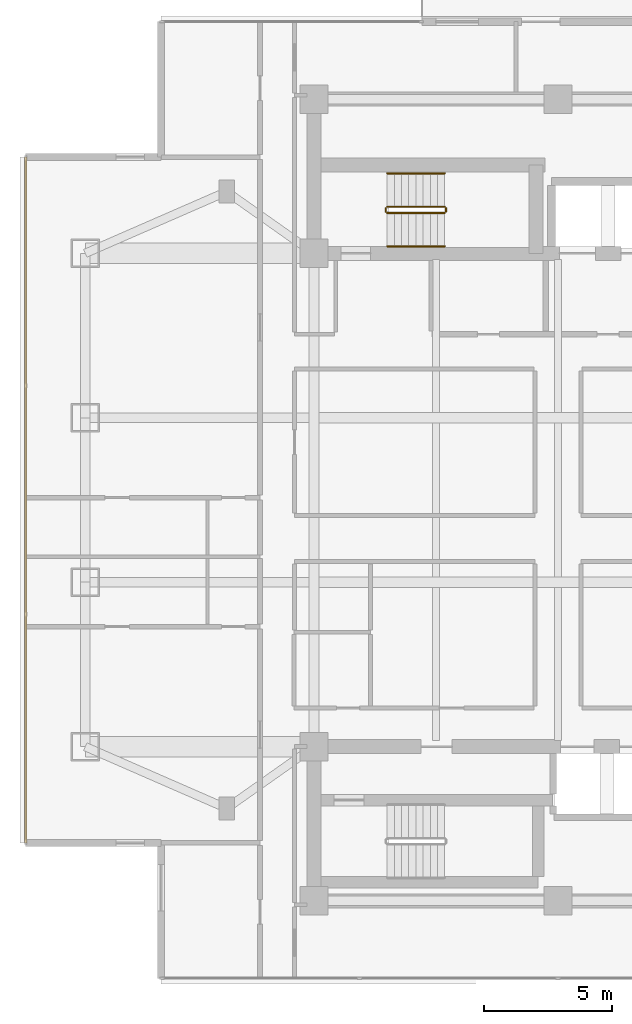
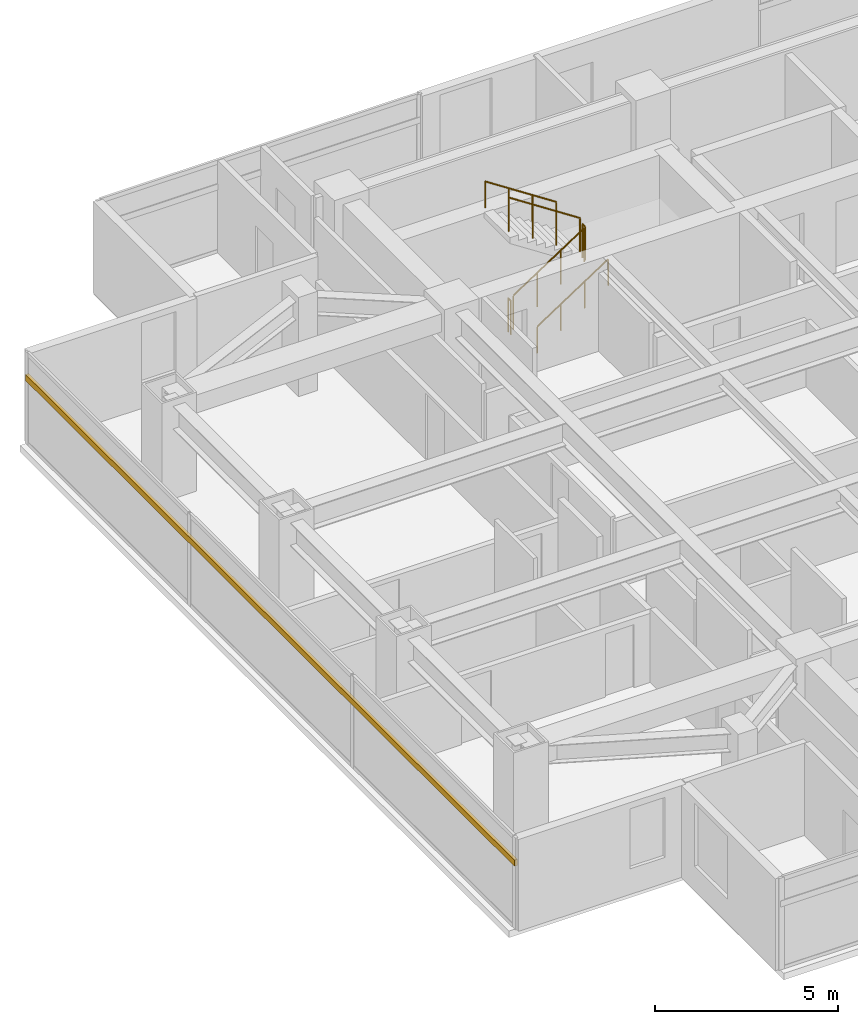
# One storey, part 22 of 26: 6 railings, 1 shading device.
"""IFC4 building model written with IfcOpenShell, lengths in metres."""

from ifc_helpers import new_model, si_unit, direction, frame, origin, origin_2d, place, context, subcontext, project, spatial, rectangle, circle, extrude, material, material_profile, profile_set, type_object, element, save


model = new_model("IFC4")

# Units and contexts
model_context = context("Model", 3, precision=1e-05, world=origin(), true_north=direction((0.0, 1.0)))
body_context = subcontext(model_context, "Body", "Model", "MODEL_VIEW")
ifc_project = project(units=[si_unit("LENGTHUNIT", "METRE"), si_unit("AREAUNIT", "SQUARE_METRE"), si_unit("VOLUMEUNIT", "CUBIC_METRE"), si_unit("PLANEANGLEUNIT", "RADIAN"), si_unit("MASSUNIT", "GRAM", prefix="KILO")], contexts=[model_context])

# Site, building, storey
site_placement = place(None, origin())
site = spatial("IfcSite", under=ifc_project, at=site_placement, CompositionType="ELEMENT")
building_placement = place(site_placement, origin())
building = spatial("IfcBuilding", under=site, at=building_placement, Name="Mirazonda Arch Towers", CompositionType="ELEMENT")
storey_placement = place(building_placement, frame((0.0, 0.0, 128.0)))
storey = spatial("IfcBuildingStorey", under=building, at=storey_placement, Name="L36", CompositionType="ELEMENT", Elevation=128.0)

# Shading device
ifc_material_1 = material(Name="Kiln-Fired Architectural Terracotta", Category="masonry")
ifc_material_profile = material_profile(ifc_material_1, rectangle(XDim=0.10009765625, YDim=0.199951171875, at=origin_2d()), Name="TERRA-BAG-100x200")
ifc_profile_set = profile_set([ifc_material_profile], Name="Kiln-Fired Architectural Terracotta")
shading_device_type = type_object("IfcShadingDeviceType", Name="BAGUETTE-2", PredefinedType="USERDEFINED", material=ifc_profile_set)
shading_device_placement = place(storey_placement, frame((-0.219970703125, 41.343994140625, 2.203125), z_axis=(0.0, -1.0, 0.0), x_axis=(1.0, 0.0, 0.0)))
element("IfcShadingDevice", 1, at=shading_device_placement, inside=storey, type_object=shading_device_type, Name="L36 Glazed Terracotta Sun-Screen Baguette CW-L36-T1-W", ObjectType="BAGUETTE", PredefinedType="USERDEFINED", context=body_context, shape_type="SweptSolid", body=[
    extrude(rectangle(XDim=0.10009765625, YDim=0.199951171875, at=origin_2d()), origin(), (0.0, 0.0, 1.0), 26.68798828125),
])

# Railings
ifc_material_2 = material(Name="Architectural Brushed Steel S355", Category="steel")
railing_type_1 = type_object("IfcRailingType", Name="GUARD-STAIR-1120", PredefinedType="GUARDRAIL", material=ifc_material_2)
railing_1_placement = place(storey_placement, frame((13.85009765625, 39.169921875, 0.183349609375)))
element("IfcRailing", 2, at=railing_1_placement, inside=storey, type_object=railing_type_1, Name="L36 ST-T1N stair guard 1", PredefinedType="GUARDRAIL", context=body_context, shape_type="SweptSolid", body=[
    extrude(circle(Radius=0.02392578125, at=origin_2d()), frame((0.0, 0.0, 1.1259765625), z_axis=(0.836636935527, 0.0, 0.547757827979), x_axis=(0.0, 1.0, 0.0)), (0.0, 0.0, 1.0), 2.677490234375),
    extrude(circle(Radius=0.02099609375, at=origin_2d()), origin(), (0.0, 0.0, 1.0), 1.101806640625),
    extrude(circle(Radius=0.02099609375, at=origin_2d()), frame((0.74658203125, 0.0, 0.48876953125)), (0.0, 0.0, 1.0), 1.101806640625),
    extrude(circle(Radius=0.02099609375, at=origin_2d()), frame((1.493408203125, 0.0, 0.977783203125)), (0.0, 0.0, 1.0), 1.101806640625),
    extrude(circle(Radius=0.02099609375, at=origin_2d()), frame((2.239990234375, 0.0, 1.466552734375)), (0.0, 0.0, 1.0), 1.101806640625),
])
railing_2_placement = place(storey_placement, frame((16.139892578125, 39.219970703125, 1.64990234375)))
element("IfcRailing", 3, at=railing_2_placement, inside=storey, type_object=railing_type_1, Name="L36 ST-T1N stair guard 2", PredefinedType="GUARDRAIL", context=body_context, shape_type="SweptSolid", body=[
    extrude(circle(Radius=0.02392578125, at=origin_2d()), frame((0.0, 0.0, 1.1259765625), z_axis=(0.0, 1.0, 0.0), x_axis=(-1.0, 0.0, 0.0)), (0.0, 0.0, 1.0), 0.14013671875),
    extrude(circle(Radius=0.02099609375, at=origin_2d()), origin(), (0.0, 0.0, 1.0), 1.101806640625),
    extrude(circle(Radius=0.02099609375, at=origin_2d()), frame((0.0, 0.14013671875, 0.0)), (0.0, 0.0, 1.0), 1.101806640625),
])
railing_3_placement = place(storey_placement, frame((16.090087890625, 39.409912109375, 1.833251953125)))
element("IfcRailing", 4, at=railing_3_placement, inside=storey, type_object=railing_type_1, Name="L36 ST-T1N stair guard 3", PredefinedType="GUARDRAIL", context=body_context, shape_type="SweptSolid", body=[
    extrude(circle(Radius=0.02392578125, at=origin_2d()), frame((0.0, 0.0, 1.1259765625), z_axis=(-0.836595146698, 0.0, 0.547821650285), x_axis=(0.0, -1.0, 0.0)), (0.0, 0.0, 1.0), 2.677490234375),
    extrude(circle(Radius=0.02099609375, at=origin_2d()), origin(), (0.0, 0.0, 1.0), 1.101806640625),
    extrude(circle(Radius=0.02099609375, at=origin_2d()), frame((-0.74658203125, 0.0, 0.489013671875)), (0.0, 0.0, 1.0), 1.101806640625),
    extrude(circle(Radius=0.02099609375, at=origin_2d()), frame((-1.493408203125, 0.0, 0.977783203125)), (0.0, 0.0, 1.0), 1.101806640625),
    extrude(circle(Radius=0.02099609375, at=origin_2d()), frame((-2.239990234375, 0.0, 1.466796875)), (0.0, 0.0, 1.0), 1.101806640625),
])
railing_4_placement = place(storey_placement, frame((13.800048828125, 39.219970703125, 0.0)))
element("IfcRailing", 5, at=railing_4_placement, inside=storey, type_object=railing_type_1, Name="L36 ST-T1N stair guard 4", PredefinedType="GUARDRAIL", context=body_context, shape_type="SweptSolid", body=[
    extrude(circle(Radius=0.02392578125, at=origin_2d()), frame((0.0, 0.0, 1.1259765625), z_axis=(0.0, 1.0, 0.0), x_axis=(-1.0, 0.0, 0.0)), (0.0, 0.0, 1.0), 0.14013671875),
    extrude(circle(Radius=0.02099609375, at=origin_2d()), origin(), (0.0, 0.0, 1.0), 1.101806640625),
    extrude(circle(Radius=0.02099609375, at=origin_2d()), frame((0.0, 0.14013671875, 0.0)), (0.0, 0.0, 1.0), 1.101806640625),
])
railing_type_2 = type_object("IfcRailingType", Name="HANDRAIL-915", PredefinedType="HANDRAIL", material=ifc_material_2)
railing_5_placement = place(storey_placement, frame((13.85009765625, 37.8701171875, 0.183349609375)))
element("IfcRailing", 6, at=railing_5_placement, inside=storey, type_object=railing_type_2, Name="L36 ST-T1N stair handrail 1", PredefinedType="HANDRAIL", context=body_context, shape_type="SweptSolid", body=[
    extrude(circle(Radius=0.02392578125, at=origin_2d()), frame((0.0, 0.0, 0.8759765625), z_axis=(0.836636935527, 0.0, 0.547757827979), x_axis=(0.0, 1.0, 0.0)), (0.0, 0.0, 1.0), 2.677490234375),
    extrude(circle(Radius=0.02099609375, at=origin_2d()), origin(), (0.0, 0.0, 1.0), 0.851806640625),
    extrude(circle(Radius=0.02099609375, at=origin_2d()), frame((0.74658203125, 0.0, 0.48876953125)), (0.0, 0.0, 1.0), 0.851806640625),
    extrude(circle(Radius=0.02099609375, at=origin_2d()), frame((1.493408203125, 0.0, 0.977783203125)), (0.0, 0.0, 1.0), 0.851806640625),
    extrude(circle(Radius=0.02099609375, at=origin_2d()), frame((2.239990234375, 0.0, 1.466552734375)), (0.0, 0.0, 1.0), 0.851806640625),
])
railing_6_placement = place(storey_placement, frame((16.090087890625, 40.7099609375, 1.833251953125)))
element("IfcRailing", 7, at=railing_6_placement, inside=storey, type_object=railing_type_2, Name="L36 ST-T1N stair handrail 2", PredefinedType="HANDRAIL", context=body_context, shape_type="SweptSolid", body=[
    extrude(circle(Radius=0.02392578125, at=origin_2d()), frame((0.0, 0.0, 0.8759765625), z_axis=(-0.836595146698, 0.0, 0.547821650285), x_axis=(0.0, -1.0, 0.0)), (0.0, 0.0, 1.0), 2.677490234375),
    extrude(circle(Radius=0.02099609375, at=origin_2d()), origin(), (0.0, 0.0, 1.0), 0.851806640625),
    extrude(circle(Radius=0.02099609375, at=origin_2d()), frame((-0.74658203125, 0.0, 0.489013671875)), (0.0, 0.0, 1.0), 0.851806640625),
    extrude(circle(Radius=0.02099609375, at=origin_2d()), frame((-1.493408203125, 0.0, 0.977783203125)), (0.0, 0.0, 1.0), 0.851806640625),
    extrude(circle(Radius=0.02099609375, at=origin_2d()), frame((-2.239990234375, 0.0, 1.466796875)), (0.0, 0.0, 1.0), 0.851806640625),
])

save(model, "model.ifc")
